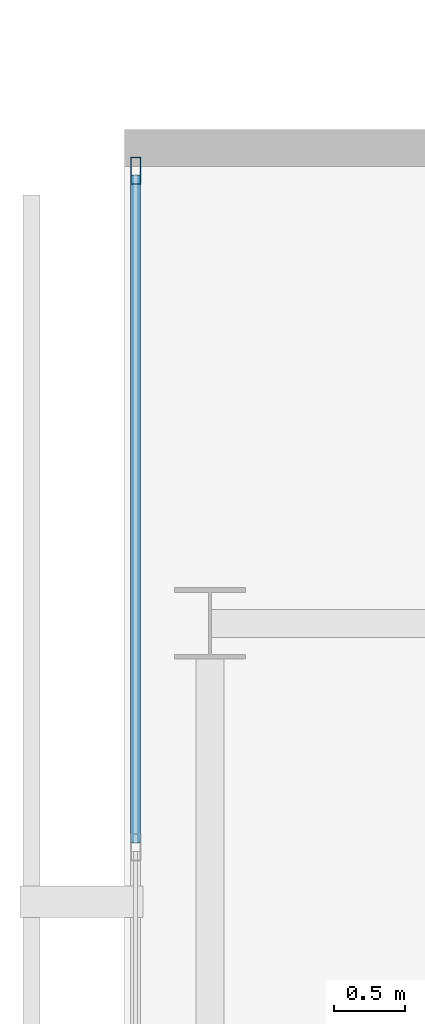
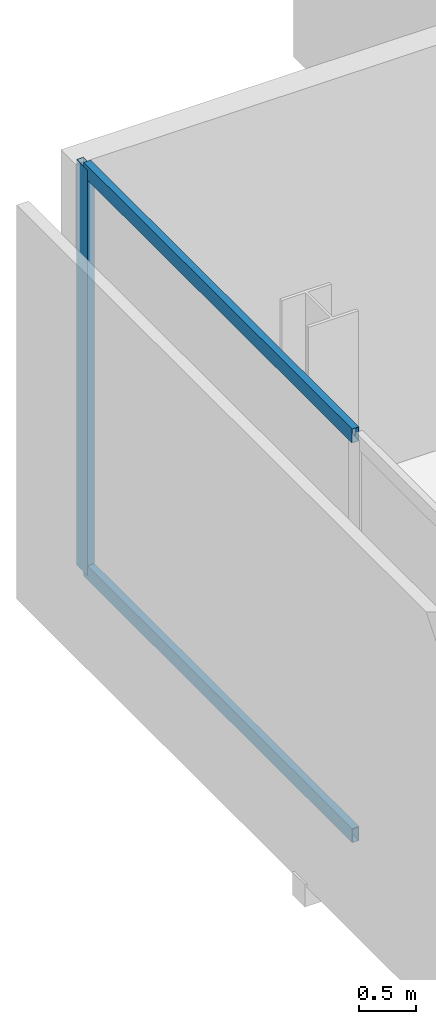
# One storey, part 14 of 23: 3 members, 1 element without a shape of its own.
"""IFC4 building model written with IfcOpenShell, lengths in metres."""

import ifcopenshell
import ifcopenshell.guid

model = None  # the IFC model being written
_history = None  # IfcOwnerHistory: only IFC2X3 demands one
_inside = {}  # id of a spatial element -> (the spatial element, [elements in it])
_under = {}  # id of a project, library or spatial element -> (it, [spatial elements below it])
_declared = {}  # id of a project -> (the project, [libraries it declares])
_typed = {}  # id of a type object -> (the type object, [elements of that type])
_made_of = {}  # id of a material, layer set ... -> (it, [elements and type objects made of it])


def new_model(schema):
    """Start an empty IFC model of exactly this schema.

    Asked for "IFC4X3", IfcOpenShell would pick the latest addendum, in which some entities
    have other attributes; the version numbers below select the first issue.
    IFC2X3 requires an IfcOwnerHistory on every rooted entity: one is made here for all.
    """
    global model, _history
    if schema == "IFC4X3":
        model = ifcopenshell.file(schema_version=(4, 3, 0, 0))
    else:
        model = ifcopenshell.file(schema=schema)
    _inside.clear()
    _under.clear()
    _declared.clear()
    _typed.clear()
    _made_of.clear()
    _history = None
    if model.schema == "IFC2X3":
        org = make("IfcOrganization", Name="unknown")
        user = make(
            "IfcPersonAndOrganization",
            ThePerson=make("IfcPerson", FamilyName="unknown"),
            TheOrganization=org,
        )
        app = make(
            "IfcApplication",
            ApplicationDeveloper=org,
            Version="unknown",
            ApplicationFullName="unknown",
            ApplicationIdentifier="unknown",
        )
        _history = make(
            "IfcOwnerHistory",
            OwningUser=user,
            OwningApplication=app,
            ChangeAction="ADDED",
            CreationDate=0,
        )
    return model


def make(cls, **values):
    """One entity of the class cls with the attributes given. An attribute that is None is left unset."""
    return model.create_entity(
        cls, **{name: value for name, value in values.items() if value is not None}
    )


def rooted(cls, **values):
    """An entity with a GlobalId (a new one), such as an element, a storey or a relation."""
    return make(cls, GlobalId=ifcopenshell.guid.new(), OwnerHistory=_history, **values)


def si_unit(unit_type, name, prefix=None):
    """IfcSIUnit, for example si_unit("LENGTHUNIT", "METRE", prefix="MILLI")."""
    return make("IfcSIUnit", UnitType=unit_type, Prefix=prefix, Name=name)


def assignment(units):
    """IfcUnitAssignment: the units of a project."""
    return None if units is None else make("IfcUnitAssignment", Units=units)


def point(xyz):
    """IfcCartesianPoint."""
    return None if xyz is None else make("IfcCartesianPoint", Coordinates=xyz)


def direction(xyz):
    """IfcDirection."""
    return None if xyz is None else make("IfcDirection", DirectionRatios=xyz)


def frame(location, z_axis=None, x_axis=None):
    """IfcAxis2Placement3D, a coordinate frame: its origin and axes. An axis left out is left unset."""
    return make(
        "IfcAxis2Placement3D",
        Location=point(location),
        Axis=direction(z_axis),
        RefDirection=direction(x_axis),
    )


def frame_2d(location, x_axis=None):
    """IfcAxis2Placement2D, a coordinate frame in the plane: its origin and x axis."""
    return make(
        "IfcAxis2Placement2D", Location=point(location), RefDirection=direction(x_axis)
    )


def origin():
    """The frame at (0, 0, 0) with its axes left unset."""
    return frame((0.0, 0.0, 0.0))


def origin_2d():
    """The frame at (0, 0) in the plane with its x axis left unset."""
    return frame_2d((0.0, 0.0))


def place(relative_to, where):
    """IfcLocalPlacement: puts the frame where relative to a parent placement (None: the world)."""
    return make(
        "IfcLocalPlacement", PlacementRelTo=relative_to, RelativePlacement=where
    )


def context(
    kind, dimensions, precision=None, world=None, true_north=None, identifier=None
):
    """IfcGeometricRepresentationContext, for example the 3D "Model" context."""
    return make(
        "IfcGeometricRepresentationContext",
        ContextIdentifier=identifier,
        ContextType=kind,
        CoordinateSpaceDimension=dimensions,
        Precision=precision,
        WorldCoordinateSystem=world,
        TrueNorth=true_north,
    )


def subcontext(parent, identifier, kind, view, scale=None):
    """IfcGeometricRepresentationSubContext, for example "Body" below "Model"."""
    return make(
        "IfcGeometricRepresentationSubContext",
        ContextIdentifier=identifier,
        ContextType=kind,
        ParentContext=parent,
        TargetScale=scale,
        TargetView=view,
    )


def project(units=None, contexts=None):
    """IfcProject with its units and contexts."""
    return rooted(
        "IfcProject",
        Name="project",
        RepresentationContexts=contexts,
        UnitsInContext=assignment(units),
    )


def spatial(cls, under=None, at=None, **own):
    """A site, building, storey or space (cls), placed at a placement, below another one or the project."""
    s = rooted(cls, ObjectPlacement=at, **own)
    if under is not None:
        _under.setdefault(under.id(), (under, []))[1].append(s)
    return s


def profile(cls, at=None, kind="AREA", **sizes):
    """A parametric profile (cls). Its sizes go by their IFC names, for example OverallWidth=200.0."""
    return make(cls, ProfileType=kind, Position=at, **sizes)


def hollow_rectangle(**sizes):
    """IfcRectangleHollowProfileDef."""
    return profile("IfcRectangleHollowProfileDef", **sizes)


def extrude(swept, where, along, depth):
    """IfcExtrudedAreaSolid: the profile swept, set in the frame where, extruded along a direction by depth."""
    return make(
        "IfcExtrudedAreaSolid",
        SweptArea=swept,
        Position=where,
        ExtrudedDirection=direction(along),
        Depth=depth,
    )


def shape(context_of_items, identifier, shape_type, items):
    """IfcShapeRepresentation: the items that make up one representation, for example the "Body"."""
    return make(
        "IfcShapeRepresentation",
        ContextOfItems=context_of_items,
        RepresentationIdentifier=identifier,
        RepresentationType=shape_type,
        Items=items,
    )


def material(Name=None, Category=None):
    """IfcMaterial."""
    return make("IfcMaterial", Name=Name, Category=Category)


def layer(
    of_material, thickness, ventilated=None, Name=None, Category=None, Priority=None
):
    """IfcMaterialLayer: one layer of a wall or slab, of a material (None: an air gap)."""
    return make(
        "IfcMaterialLayer",
        Material=of_material,
        LayerThickness=thickness,
        IsVentilated=ventilated,
        Name=Name,
        Category=Category,
        Priority=Priority,
    )


def layer_set(layers, Name=None):
    """IfcMaterialLayerSet."""
    return make("IfcMaterialLayerSet", MaterialLayers=layers, LayerSetName=Name)


def material_profile(
    of_material, cross_section, Name=None, Category=None, Priority=None
):
    """IfcMaterialProfile: a cross section and its material."""
    return make(
        "IfcMaterialProfile",
        Name=Name,
        Material=of_material,
        Profile=cross_section,
        Priority=Priority,
        Category=Category,
    )


def profile_set(profiles, Name=None, composite=None):
    """IfcMaterialProfileSet."""
    return make(
        "IfcMaterialProfileSet",
        Name=Name,
        MaterialProfiles=profiles,
        CompositeProfile=composite,
    )


def made_of(thing, what):
    """Note that an element or type object is made of a material, layer set ...; save() writes the relation."""
    if what is not None:
        _made_of.setdefault(what.id(), (what, []))[1].append(thing)
    return thing


def type_object(cls, material=None, **own):
    """A type object (cls), such as IfcWallType, which elements share."""
    return made_of(rooted(cls, **own), material)


def element(
    cls,
    number,
    at=None,
    inside=None,
    cuts=None,
    type_object=None,
    material=None,
    context=None,
    identifier="Body",
    shape_type=None,
    held_by="IfcProductDefinitionShape",
    body=None,
    shapes=None,
    **own,
):
    """One element of the class cls, such as IfcWall. Its Tag is "e" and its number.

    at: its placement. inside: the storey or other place that contains it. cuts: it is an
    opening in that element (IfcRelVoidsElement). A single representation is given by context,
    identifier, shape_type and body (its items); several are given by shapes. held_by: the class
    of the entity that holds the representations. save() writes the other relations.
    """
    e = rooted(cls, Tag="e%d" % number, ObjectPlacement=at, **own)
    if body is not None:
        shapes = [shape(context, identifier, shape_type, body)]
    if shapes is not None:
        e.Representation = make(held_by, Representations=shapes)
    if inside is not None:
        _inside.setdefault(inside.id(), (inside, []))[1].append(e)
    if cuts is not None:
        rooted(
            "IfcRelVoidsElement", RelatingBuildingElement=cuts, RelatedOpeningElement=e
        )
    if type_object is not None:
        _typed.setdefault(type_object.id(), (type_object, []))[1].append(e)
    return made_of(e, material)


def aggregate(whole, parts):
    """IfcRelAggregates: a whole, such as a stair, and the parts it consists of."""
    return rooted("IfcRelAggregates", RelatingObject=whole, RelatedObjects=parts)


def save(model, path):
    """Write the relations noted so far, then the file.

    IfcRelAggregates (storeys below a building ...), IfcRelContainedInSpatialStructure (elements
    in a storey), IfcRelDefinesByType, IfcRelAssociatesMaterial and IfcRelDeclares: one each for
    every whole, place, type object, material and project.
    """
    for whole, parts in _under.values():
        aggregate(whole, parts)
    for where, things in _inside.values():
        rooted(
            "IfcRelContainedInSpatialStructure",
            RelatedElements=things,
            RelatingStructure=where,
        )
    for kind, things in _typed.values():
        rooted("IfcRelDefinesByType", RelatedObjects=things, RelatingType=kind)
    for what, things in _made_of.values():
        rooted("IfcRelAssociatesMaterial", RelatedObjects=things, RelatingMaterial=what)
    for by, libraries in _declared.values():
        rooted("IfcRelDeclares", RelatingContext=by, RelatedDefinitions=libraries)
    model.write(path)


model = new_model("IFC4")

# Units and contexts
model_context = context("Model", 3, precision=1e-05, world=origin(), true_north=direction((0.0, 1.0)))
body_context = subcontext(model_context, "Body", "Model", "MODEL_VIEW")
ifc_project = project(units=[si_unit("LENGTHUNIT", "METRE"), si_unit("AREAUNIT", "SQUARE_METRE"), si_unit("VOLUMEUNIT", "CUBIC_METRE"), si_unit("PLANEANGLEUNIT", "RADIAN"), si_unit("MASSUNIT", "GRAM", prefix="KILO")], contexts=[model_context])

# Site, building, storey
site_placement = place(None, origin())
site = spatial("IfcSite", under=ifc_project, at=site_placement, CompositionType="ELEMENT")
building_placement = place(site_placement, origin())
building = spatial("IfcBuilding", under=site, at=building_placement, Name="Maruvema Waterfront Hotel and Observation Tower", CompositionType="ELEMENT")
storey_placement = place(building_placement, frame((0.0, 0.0, 345.10009765625)))
storey = spatial("IfcBuildingStorey", under=building, at=storey_placement, Name="L85", CompositionType="ELEMENT", Elevation=345.10009765625)

# Curtain wall, members
ifc_material_1 = material(Name="Anodised bronze aluminium and solar-control low-E IGU", Category="aluminium")
ifc_layer = layer(ifc_material_1, 0.159912109375, Name="Observation Crown Structural Glazed Curtain Wall System CW-06")
ifc_layer_set = layer_set([ifc_layer], Name="Anodised bronze aluminium and solar-control low-E IGU")
curtain_wall_type = type_object("IfcCurtainWallType", Name="Observation Crown Structural Glazed Curtain Wall System CW-06", PredefinedType="USERDEFINED", material=ifc_layer_set)
curtain_wall_placement = place(storey_placement, origin())
curtain_wall = element("IfcCurtainWall", 1, at=curtain_wall_placement, inside=storey, type_object=curtain_wall_type, Name="L85 Curtain Wall CW-L85-W", ObjectType="UNITISED CURTAIN WALL", PredefinedType="USERDEFINED")
ifc_material_2 = material(Name="Anodised architectural bronze aluminium", Category="aluminium")
ifc_material_profile_1 = material_profile(ifc_material_2, hollow_rectangle(XDim=0.070068359375, YDim=0.14990234375, WallThickness=0.00390625, at=origin_2d()), Name="ALU-T70x150")
ifc_profile_set_1 = profile_set([ifc_material_profile_1], Name="Anodised architectural bronze aluminium")
member_type_1 = type_object("IfcMemberType", Name="Curtain Wall Horizontal Transom ALU-T70x150", PredefinedType="USERDEFINED", material=ifc_profile_set_1)
member_1_placement = place(storey_placement, frame((17.780029296875, 48.139892578125, 0.02978515625), z_axis=(0.0, -1.0, 0.0), x_axis=(1.0, 0.0, 0.0)))
member_1 = element("IfcMember", 2, at=member_1_placement, type_object=member_type_1, Name="CW-06 transom 1.1", ObjectType="TRANSOM", PredefinedType="USERDEFINED", context=body_context, shape_type="SweptSolid", body=[
    extrude(hollow_rectangle(XDim=0.070068359375, YDim=0.14990234375, WallThickness=0.00390625, at=origin_2d()), origin(), (0.0, 0.0, 1.0), 4.676513671875),
])
member_2_placement = place(storey_placement, frame((17.780029296875, 48.139892578125, 4.27978515625), z_axis=(0.0, -1.0, 0.0), x_axis=(1.0, 0.0, 0.0)))
member_2 = element("IfcMember", 3, at=member_2_placement, type_object=member_type_1, Name="CW-06 transom 1.2", ObjectType="TRANSOM", PredefinedType="USERDEFINED", context=body_context, shape_type="SweptSolid", body=[
    extrude(hollow_rectangle(XDim=0.070068359375, YDim=0.14990234375, WallThickness=0.00390625, at=origin_2d()), origin(), (0.0, 0.0, 1.0), 4.676513671875),
])
ifc_material_3 = material(Name="Anodised architectural bronze aluminium", Category="aluminium")
ifc_material_profile_2 = material_profile(ifc_material_3, hollow_rectangle(XDim=0.070068359375, YDim=0.18994140625, WallThickness=0.00390625, at=origin_2d()), Name="ALU-M70x190")
ifc_profile_set_2 = profile_set([ifc_material_profile_2], Name="Anodised architectural bronze aluminium")
member_type_2 = type_object("IfcMemberType", Name="Podium Storefront Heavy Mullion ALU-M70x190", PredefinedType="MULLION", material=ifc_profile_set_2)
member_3_placement = place(storey_placement, frame((17.780029296875, 48.169921875, 0.0), z_axis=(0.0, 0.0, 1.0), x_axis=(1.0, 0.0, 0.0)))
member_3 = element("IfcMember", 4, at=member_3_placement, type_object=member_type_2, Name="CW-06 mullion 1", PredefinedType="MULLION", context=body_context, shape_type="SweptSolid", body=[
    extrude(hollow_rectangle(XDim=0.070068359375, YDim=0.18994140625, WallThickness=0.00390625, at=origin_2d()), origin(), (0.0, 0.0, 1.0), 4.309814453125),
])
aggregate(curtain_wall, [member_3, member_1, member_2])

save(model, "model.ifc")
